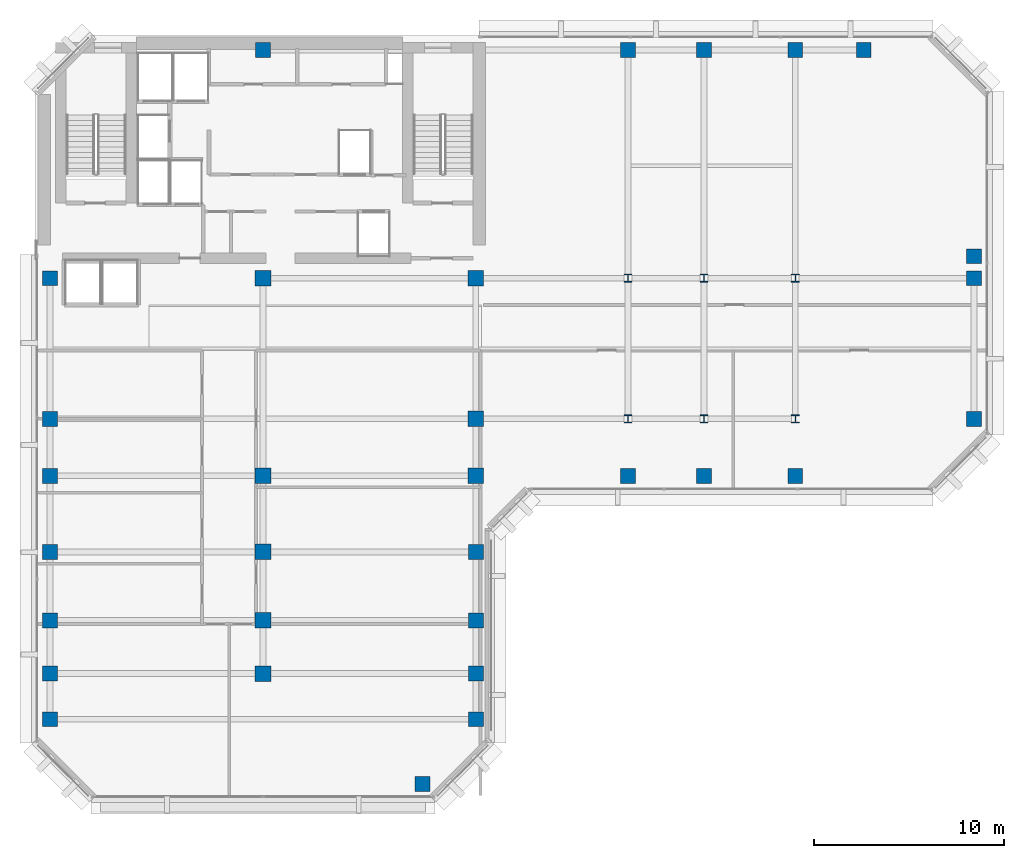
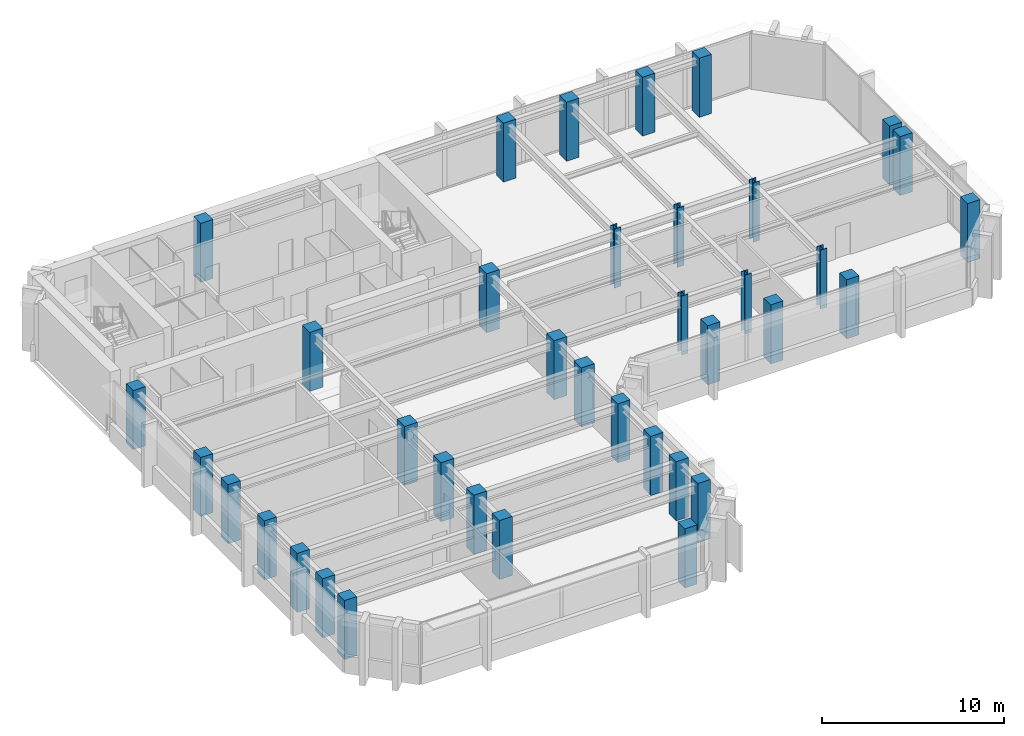
# One storey, part 1 of 12: 37 columns.
"""IFC4 building model written with IfcOpenShell, lengths in metres."""

from ifc_helpers import new_model, si_unit, direction, frame, origin, origin_2d, place, context, subcontext, project, spatial, rectangle, i_section, extrude, material, material_profile, profile_set, type_object, element, save


model = new_model("IFC4")

# Units and contexts
model_context = context("Model", 3, precision=1e-05, world=origin(), true_north=direction((0.0, 1.0)))
body_context = subcontext(model_context, "Body", "Model", "MODEL_VIEW")
ifc_project = project(units=[si_unit("LENGTHUNIT", "METRE"), si_unit("AREAUNIT", "SQUARE_METRE"), si_unit("VOLUMEUNIT", "CUBIC_METRE"), si_unit("PLANEANGLEUNIT", "RADIAN"), si_unit("MASSUNIT", "GRAM", prefix="KILO")], contexts=[model_context])

# Site, building, storey
site_placement = place(None, origin())
site = spatial("IfcSite", under=ifc_project, at=site_placement, CompositionType="ELEMENT")
building_placement = place(site_placement, origin())
building = spatial("IfcBuilding", under=site, at=building_placement, Name="Kefirva Bronze Tower", CompositionType="ELEMENT")
storey_placement = place(building_placement, frame((0.0, 0.0, 268.2900390625)))
storey = spatial("IfcBuildingStorey", under=building, at=storey_placement, Name="L65", CompositionType="ELEMENT", Elevation=268.2900390625)

# Columns
ifc_material_1 = material(Name="Concrete C50/60", Category="concrete")
ifc_material_profile_1 = material_profile(ifc_material_1, rectangle(XDim=0.780029296875, YDim=0.780029296875, at=origin_2d()), Name="RC 780x780")
ifc_profile_set_1 = profile_set([ifc_material_profile_1], Name="Concrete C50/60")
column_type_1 = type_object("IfcColumnType", Name="RC Column 780x780 Ext", PredefinedType="COLUMN", material=ifc_profile_set_1)
for number, where, z_axis, x_axis, name in (
    (1, (0.800048828125, 10.0, 0.0), (0.0, 0.0, 1.0), (1.0, 0.0, 0.0), "L65 Column C008_100"),
    (2, (0.800048828125, 12.39990234375, 0.0), (0.0, 0.0, 1.0), (1.0, 0.0, 0.0), "L65 Column C008_124"),
    (3, (0.800048828125, 15.199951171875, 0.0), (0.0, 0.0, 1.0), (1.0, 0.0, 0.0), "L65 Column C008_152"),
    (4, (0.800048828125, 18.800048828125, 0.0), (0.0, 0.0, 1.0), (1.0, 0.0, 0.0), "L65 Column C008_188"),
    (5, (0.800048828125, 22.800048828125, 0.0), (0.0, 0.0, 1.0), (1.0, 0.0, 0.0), "L65 Column C008_228"),
    (6, (0.800048828125, 25.800048828125, 0.0), (0.0, 0.0, 1.0), (1.0, 0.0, 0.0), "L65 Column C008_258"),
    (7, (0.800048828125, 33.199951171875, 0.0), (0.0, 0.0, 1.0), (1.0, 0.0, 0.0), "L65 Column C008_332"),
    (8, (12.0, 45.199951171875, 0.0), (0.0, 0.0, 1.0), (1.0, 0.0, 0.0), "L65 Column C120_452"),
    (9, (20.39990234375, 6.60009765625, 0.0), (0.0, 0.0, 1.0), (1.0, 0.0, 0.0), "L65 Column C204_066"),
    (10, (23.199951171875, 10.0, 0.0), (0.0, 0.0, 1.0), (1.0, 0.0, 0.0), "L65 Column C232_100"),
    (11, (23.199951171875, 12.39990234375, 0.0), (0.0, 0.0, 1.0), (1.0, 0.0, 0.0), "L65 Column C232_124"),
    (12, (23.199951171875, 15.199951171875, 0.0), (0.0, 0.0, 1.0), (1.0, 0.0, 0.0), "L65 Column C232_152"),
    (13, (23.199951171875, 18.800048828125, 0.0), (0.0, 0.0, 1.0), (1.0, 0.0, 0.0), "L65 Column C232_188"),
    (14, (31.199951171875, 22.800048828125, 0.0), (0.0, 0.0, 1.0), (1.0, 0.0, 0.0), "L65 Column C312_228"),
    (15, (31.199951171875, 45.199951171875, 0.0), (0.0, 0.0, 1.0), (1.0, 0.0, 0.0), "L65 Column C312_452"),
    (16, (35.199951171875, 22.800048828125, 0.0), (0.0, 0.0, 1.0), (1.0, 0.0, 0.0), "L65 Column C352_228"),
    (17, (35.199951171875, 45.199951171875, 0.0), (0.0, 0.0, 1.0), (1.0, 0.0, 0.0), "L65 Column C352_452"),
    (18, (40.0, 22.800048828125, 0.0), (0.0, 0.0, 1.0), (1.0, 0.0, 0.0), "L65 Column C400_228"),
    (19, (40.0, 45.199951171875, 0.0), (0.0, 0.0, 1.0), (1.0, 0.0, 0.0), "L65 Column C400_452"),
    (20, (43.60009765625, 45.199951171875, 0.0), (0.0, 0.0, 1.0), (1.0, 0.0, 0.0), "L65 Column C436_452"),
    (21, (49.39990234375, 25.800048828125, 0.0), (0.0, 0.0, 1.0), (1.0, 0.0, 0.0), "L65 Column C494_258"),
    (22, (49.39990234375, 33.199951171875, 0.0), (0.0, 0.0, 1.0), (1.0, 0.0, 0.0), "L65 Column C494_332"),
    (23, (49.39990234375, 34.35009765625, 0.0), (0.0, 0.0, 1.0), (1.0, 0.0, 0.0), "L65 Column C494_344"),
):
    element("IfcColumn", number, at=place(storey_placement, frame(where, z_axis=z_axis, x_axis=x_axis)), inside=storey, type_object=column_type_1, Name=name, PredefinedType="COLUMN", context=body_context, shape_type="SweptSolid", body=[
        extrude(rectangle(XDim=0.780029296875, YDim=0.780029296875, at=origin_2d()), origin(), (0.0, 0.0, 1.0), 3.9599609375),
    ])
ifc_material_profile_2 = material_profile(ifc_material_1, rectangle(XDim=0.820068359375, YDim=0.820068359375, at=origin_2d()), Name="RC 820x820")
ifc_profile_set_2 = profile_set([ifc_material_profile_2], Name="Concrete C50/60")
column_type_2 = type_object("IfcColumnType", Name="RC Column 820x820 Int", PredefinedType="COLUMN", material=ifc_profile_set_2)
for number, where, z_axis, x_axis, name in (
    (24, (12.0, 12.39990234375, 0.0), (0.0, 0.0, 1.0), (1.0, 0.0, 0.0), "L65 Column C120_124"),
    (25, (12.0, 15.199951171875, 0.0), (0.0, 0.0, 1.0), (1.0, 0.0, 0.0), "L65 Column C120_152"),
    (26, (12.0, 18.800048828125, 0.0), (0.0, 0.0, 1.0), (1.0, 0.0, 0.0), "L65 Column C120_188"),
    (27, (12.0, 22.800048828125, 0.0), (0.0, 0.0, 1.0), (1.0, 0.0, 0.0), "L65 Column C120_228"),
    (28, (12.0, 33.199951171875, 0.0), (0.0, 0.0, 1.0), (1.0, 0.0, 0.0), "L65 Column C120_332"),
    (29, (23.199951171875, 22.800048828125, 0.0), (0.0, 0.0, 1.0), (1.0, 0.0, 0.0), "L65 Column C232_228"),
    (30, (23.199951171875, 25.800048828125, 0.0), (0.0, 0.0, 1.0), (1.0, 0.0, 0.0), "L65 Column C232_258"),
    (31, (23.199951171875, 33.199951171875, 0.0), (0.0, 0.0, 1.0), (1.0, 0.0, 0.0), "L65 Column C232_332"),
):
    element("IfcColumn", number, at=place(storey_placement, frame(where, z_axis=z_axis, x_axis=x_axis)), inside=storey, type_object=column_type_2, Name=name, PredefinedType="COLUMN", context=body_context, shape_type="SweptSolid", body=[
        extrude(rectangle(XDim=0.820068359375, YDim=0.820068359375, at=origin_2d()), origin(), (0.0, 0.0, 1.0), 3.9599609375),
    ])
ifc_material_2 = material(Name="Steel S460", Category="steel")
ifc_material_profile_3 = material_profile(ifc_material_2, i_section(OverallWidth=0.412109375, OverallDepth=0.43505859375, WebThickness=0.027099609375, FlangeThickness=0.04296875, at=origin_2d()), Name="HD 400x463")
ifc_profile_set_3 = profile_set([ifc_material_profile_3], Name="Steel S460")
column_type_3 = type_object("IfcColumnType", Name="Steel Column HD 400x463", PredefinedType="COLUMN", material=ifc_profile_set_3)
for number, where, z_axis, x_axis, name in (
    (32, (31.199951171875, 25.800048828125, 0.0), (0.0, 0.0, 1.0), (1.0, 0.0, 0.0), "L65 Column C312_258"),
    (33, (31.199951171875, 33.199951171875, 0.0), (0.0, 0.0, 1.0), (1.0, 0.0, 0.0), "L65 Column C312_332"),
    (34, (35.199951171875, 25.800048828125, 0.0), (0.0, 0.0, 1.0), (1.0, 0.0, 0.0), "L65 Column C352_258"),
    (35, (35.199951171875, 33.199951171875, 0.0), (0.0, 0.0, 1.0), (1.0, 0.0, 0.0), "L65 Column C352_332"),
    (36, (40.0, 25.800048828125, 0.0), (0.0, 0.0, 1.0), (1.0, 0.0, 0.0), "L65 Column C400_258"),
    (37, (40.0, 33.199951171875, 0.0), (0.0, 0.0, 1.0), (1.0, 0.0, 0.0), "L65 Column C400_332"),
):
    element("IfcColumn", number, at=place(storey_placement, frame(where, z_axis=z_axis, x_axis=x_axis)), inside=storey, type_object=column_type_3, Name=name, PredefinedType="COLUMN", context=body_context, shape_type="SweptSolid", body=[
        extrude(i_section(OverallWidth=0.412109375, OverallDepth=0.43505859375, WebThickness=0.027099609375, FlangeThickness=0.04296875, at=origin_2d()), origin(), (0.0, 0.0, 1.0), 3.9599609375),
    ])

save(model, "model.ifc")
